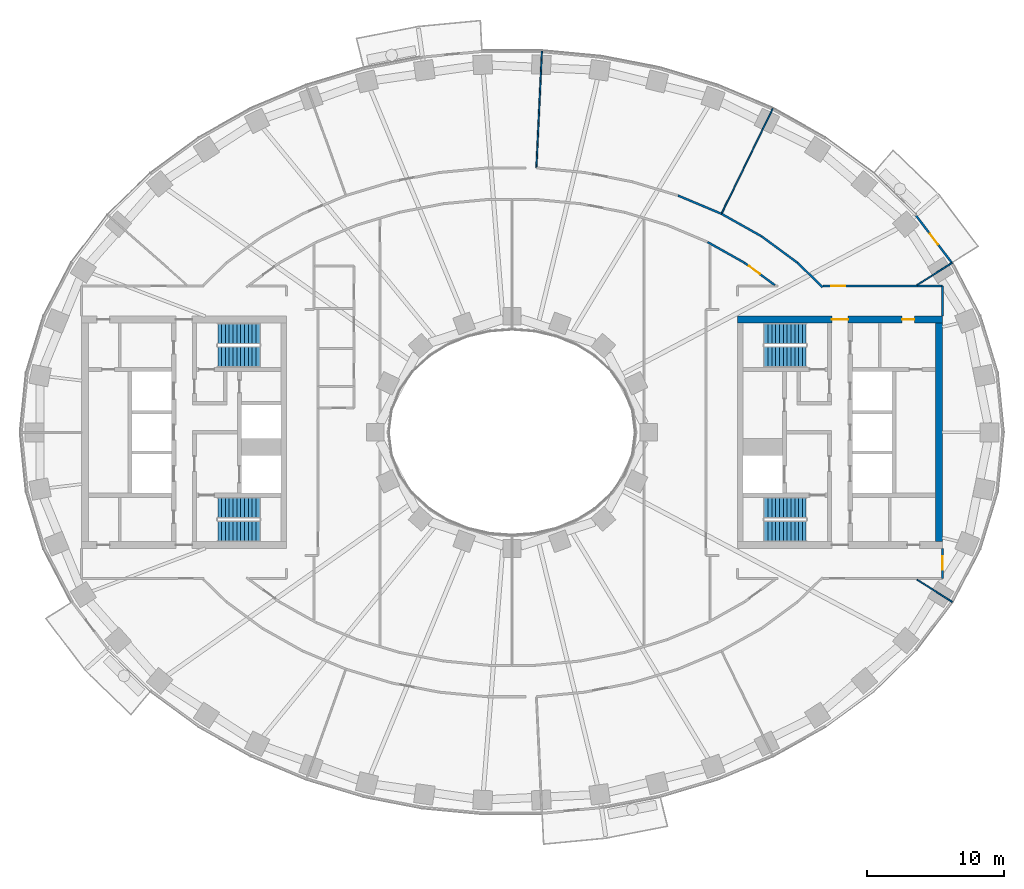
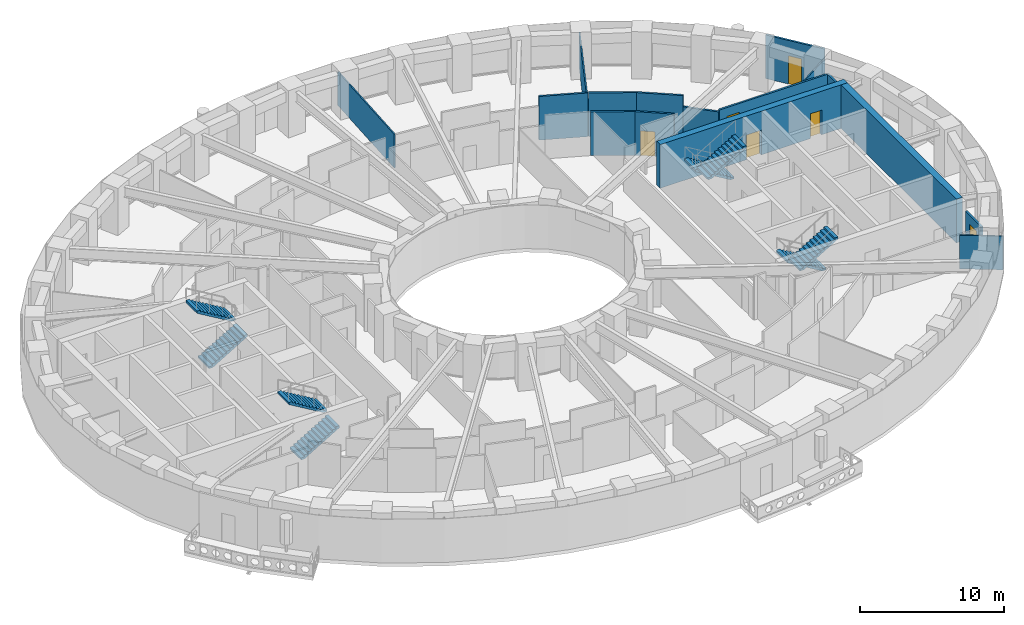
# One storey, part 7 of 16: 16 walls, 8 stair flights, 6 doors, 6 openings, 4 elements without a shape of their own.
"""IFC4 building model written with IfcOpenShell, lengths in metres."""

from ifc_helpers import new_model, si_unit, direction, frame, frame_2d, origin, place, context, subcontext, project, spatial, polyline, rectangle, outline, extrude, material, layer, layer_set, type_object, element, fill, aggregate, save


model = new_model("IFC4")

# Units and contexts
model_context = context("Model", 3, precision=1e-05, world=origin(), true_north=direction((0.0, 1.0)))
body_context = subcontext(model_context, "Body", "Model", "MODEL_VIEW")
ifc_project = project(units=[si_unit("LENGTHUNIT", "METRE"), si_unit("AREAUNIT", "SQUARE_METRE"), si_unit("VOLUMEUNIT", "CUBIC_METRE"), si_unit("PLANEANGLEUNIT", "RADIAN"), si_unit("MASSUNIT", "GRAM", prefix="KILO")], contexts=[model_context])

# Site, building, storey
site_placement = place(None, origin())
site = spatial("IfcSite", under=ifc_project, at=site_placement, CompositionType="ELEMENT")
building_placement = place(site_placement, origin())
building = spatial("IfcBuilding", under=site, at=building_placement, Name="Noorbagh Ring Tower", CompositionType="ELEMENT")
storey_placement = place(building_placement, frame((0.0, 0.0, 78.5)))
storey = spatial("IfcBuildingStorey", under=building, at=storey_placement, Name="L17", CompositionType="ELEMENT", Elevation=78.5)

# Wall, openings, doors
ifc_material_1 = material(Name="Concrete C70/85", Category="concrete")
ifc_layer_1 = layer(ifc_material_1, 0.5)
ifc_layer_set_1 = layer_set([ifc_layer_1], Name="Concrete C70/85")
wall_type_1 = type_object("IfcWallType", Name="CORE-WALL-500-C70-85-EI240", PredefinedType="SHEAR", material=ifc_layer_set_1)
wall_1_placement = place(storey_placement, frame((16.5, 8.25, 0.0), z_axis=(0.0, 0.0, 1.0), x_axis=(1.0, 0.0, 0.0)))
wall_1 = element("IfcWall", 1, at=wall_1_placement, inside=storey, type_object=wall_type_1, Name="Core wall E", PredefinedType="SHEAR", context=body_context, shape_type="SweptSolid", body=[
    extrude(rectangle(XDim=15.0, YDim=0.5, at=frame_2d((7.5, 0.0))), origin(), (0.0, 0.0, 1.0), 3.699951171875),
])
opening_1_placement = place(wall_1_placement, frame((6.89990234375, 0.0, 0.0)))
opening_1 = element("IfcOpeningElement", 2, at=opening_1_placement, cuts=wall_1, Name="Opening L17-CE09", PredefinedType="OPENING", context=body_context, shape_type="SweptSolid", body=[
    extrude(rectangle(XDim=1.199951171875, YDim=2.10009765625, at=frame_2d((0.60009765625, 1.050048828125))), frame((0.0, 0.260009765625, 0.0), z_axis=(0.0, -1.0, 0.0), x_axis=(1.0, 0.0, 0.0)), (0.0, 0.0, 1.0), 0.52001953125),
])
opening_2_placement = place(wall_1_placement, frame((12.050048828125, 0.0, 0.0)))
opening_2 = element("IfcOpeningElement", 3, at=opening_2_placement, cuts=wall_1, Name="Opening L17-CE13", PredefinedType="OPENING", context=body_context, shape_type="SweptSolid", body=[
    extrude(rectangle(XDim=0.89990234375, YDim=2.10009765625, at=frame_2d((0.449951171875, 1.050048828125))), frame((0.0, 0.260009765625, 0.0), z_axis=(0.0, -1.0, 0.0), x_axis=(1.0, 0.0, 0.0)), (0.0, 0.0, 1.0), 0.52001953125),
])
ifc_material_2 = material(Name="Steel door leaf", Category="steel")
door_type_1 = type_object("IfcDoorType", Name="CORE-DOOR-DROOM", OperationType="SINGLE_SWING_LEFT", PredefinedType="DOOR", material=ifc_material_2)
door_1_placement = place(opening_2_placement, origin())
door_1 = element("IfcDoor", 4, at=door_1_placement, inside=storey, type_object=door_type_1, Name="Core room door L17-CE13", OperationType="SINGLE_SWING_LEFT", OverallHeight=2.10009765625, OverallWidth=0.89990234375, PredefinedType="DOOR", context=body_context, shape_type="SweptSolid", body=[
    extrude(rectangle(XDim=0.89990234375, YDim=2.10009765625, at=frame_2d((0.449951171875, 1.050048828125))), frame((0.0, 0.02490234375, 0.0), z_axis=(0.0, -1.0, 0.0), x_axis=(1.0, 0.0, 0.0)), (0.0, 0.0, 1.0), 0.050048828125),
])
fill(opening_2, door_1)
ifc_material_3 = material(Name="Steel door leaf", Category="steel")
door_type_2 = type_object("IfcDoorType", Name="CORE-DOOR-PORT", OperationType="DOUBLE_DOOR_DOUBLE_SWING", PredefinedType="DOOR", material=ifc_material_3)
door_2_placement = place(opening_1_placement, origin())
door_2 = element("IfcDoor", 5, at=door_2_placement, inside=storey, type_object=door_type_2, Name="Core entrance door L17-CE09", OperationType="DOUBLE_DOOR_DOUBLE_SWING", OverallHeight=2.10009765625, OverallWidth=1.199951171875, PredefinedType="DOOR", context=body_context, shape_type="SweptSolid", body=[
    extrude(rectangle(XDim=1.199951171875, YDim=2.10009765625, at=frame_2d((0.60009765625, 1.050048828125))), frame((0.0, 0.02490234375, 0.0), z_axis=(0.0, -1.0, 0.0), x_axis=(1.0, 0.0, 0.0)), (0.0, 0.0, 1.0), 0.050048828125),
])
fill(opening_1, door_2)

# Walls
wall_2_placement = place(storey_placement, frame((31.25, -8.0, 0.0), z_axis=(0.0, 0.0, 1.0), x_axis=(0.0, 1.0, 0.0)))
element("IfcWall", 6, at=wall_2_placement, inside=storey, type_object=wall_type_1, Name="Core wall E", PredefinedType="SHEAR", context=body_context, shape_type="SweptSolid", body=[
    extrude(rectangle(XDim=16.0, YDim=0.5, at=frame_2d((8.0, 0.0))), origin(), (0.0, 0.0, 1.0), 3.699951171875),
])
ifc_material_4 = material(Name="Gypsum board on steel studs", Category="steel")
ifc_layer_2 = layer(ifc_material_4, 0.14990234375)
ifc_layer_set_2 = layer_set([ifc_layer_2], Name="Gypsum board on steel studs")
wall_type_2 = type_object("IfcWallType", Name="CORRIDOR PARTITION 150 EI 30", PredefinedType="PARTITIONING", material=ifc_layer_set_2)
wall_3_placement = place(storey_placement, frame((12.15087890625, 17.325927734375, 0.0), z_axis=(0.0, 0.0, 1.0), x_axis=(0.921891448612, -0.387448263612, 0.0)))
element("IfcWall", 7, at=wall_3_placement, inside=storey, type_object=wall_type_2, Name="L17/wall/P80", PredefinedType="PARTITIONING", context=body_context, shape_type="SweptSolid", body=[
    extrude(rectangle(XDim=3.443115234375, YDim=0.14990234375, at=frame_2d((1.7216796875, 0.0))), origin(), (0.0, 0.0, 1.0), 3.699951171875),
])
wall_4_placement = place(storey_placement, frame((14.31298828125, 13.922119140625, 0.0), z_axis=(0.0, 0.0, 1.0), x_axis=(0.871977874087, -0.489545286059, 0.0)))
element("IfcWall", 8, at=wall_4_placement, inside=storey, type_object=wall_type_2, Name="L17/wall/P85", PredefinedType="PARTITIONING", context=body_context, shape_type="SweptSolid", body=[
    extrude(rectangle(XDim=3.093017578125, YDim=0.14990234375, at=frame_2d((1.54638671875, 0.0))), origin(), (0.0, 0.0, 1.0), 3.699951171875),
])
wall_5_placement = place(storey_placement, frame((15.342041015625, 15.98193359375, 0.0), z_axis=(0.0, 0.0, 1.0), x_axis=(0.872011649609, -0.48948512025, 0.0)))
element("IfcWall", 9, at=wall_5_placement, inside=storey, type_object=wall_type_2, Name="L17/wall/P91", PredefinedType="PARTITIONING", context=body_context, shape_type="SweptSolid", body=[
    extrude(rectangle(XDim=3.34619140625, YDim=0.14990234375, at=frame_2d((1.673095703125, 0.0))), origin(), (0.0, 0.0, 1.0), 3.699951171875),
])

# Wall, opening, door
wall_6_placement = place(storey_placement, frame((17.010009765625, 12.407958984375, 0.0), z_axis=(0.0, 0.0, 1.0), x_axis=(0.805276342361, -0.592899664728, 0.0)))
wall_6 = element("IfcWall", 10, at=wall_6_placement, inside=storey, type_object=wall_type_2, Name="L17/wall/P97", PredefinedType="PARTITIONING", context=body_context, shape_type="SweptSolid", body=[
    extrude(rectangle(XDim=2.75439453125, YDim=0.14990234375, at=frame_2d((1.377197265625, 0.0))), origin(), (0.0, 0.0, 1.0), 3.699951171875),
])
opening_3_placement = place(wall_6_placement, frame((0.39990234375, 0.0, 0.0)))
opening_3 = element("IfcOpeningElement", 11, at=opening_3_placement, cuts=wall_6, Name="Opening D1", PredefinedType="OPENING", context=body_context, shape_type="SweptSolid", body=[
    extrude(rectangle(XDim=1.0, YDim=2.10009765625, at=frame_2d((0.5, 1.050048828125))), frame((0.0, 0.0849609375, 0.0), z_axis=(0.0, -1.0, 0.0), x_axis=(1.0, 0.0, 0.0)), (0.0, 0.0, 1.0), 0.169921875),
])
ifc_material_5 = material(Name="Timber, painted", Category="wood")
door_type_3 = type_object("IfcDoorType", Name="DOOR 1000 X 2100 FD30", OperationType="SINGLE_SWING_LEFT", PredefinedType="DOOR", material=ifc_material_5)
door_3_placement = place(opening_3_placement, origin())
door_3 = element("IfcDoor", 12, at=door_3_placement, inside=storey, type_object=door_type_3, Name="L17-D22", OperationType="SINGLE_SWING_LEFT", OverallHeight=2.10009765625, OverallWidth=1.0, PredefinedType="DOOR", context=body_context, shape_type="SweptSolid", body=[
    extrude(rectangle(XDim=1.0, YDim=2.10009765625, at=frame_2d((0.5, 1.050048828125))), frame((0.0, 0.02490234375, 0.0), z_axis=(0.0, -1.0, 0.0), x_axis=(1.0, 0.0, 0.0)), (0.0, 0.0, 1.0), 0.050048828125),
])
fill(opening_3, door_3)

# Walls
wall_7_placement = place(storey_placement, frame((18.260009765625, 14.343994140625, 0.0), z_axis=(0.0, 0.0, 1.0), x_axis=(0.805303685339, -0.592862525701, 0.0)))
element("IfcWall", 13, at=wall_7_placement, inside=storey, type_object=wall_type_2, Name="L17/wall/P99", PredefinedType="PARTITIONING", context=body_context, shape_type="SweptSolid", body=[
    extrude(rectangle(XDim=3.267333984375, YDim=0.14990234375, at=frame_2d((1.6337890625, 0.0))), origin(), (0.0, 0.0, 1.0), 3.699951171875),
])
wall_8_placement = place(storey_placement, frame((20.89111328125, 12.406982421875, 0.0), z_axis=(0.0, 0.0, 1.0), x_axis=(0.71701613235, -0.697056572991, 0.0)))
element("IfcWall", 14, at=wall_8_placement, inside=storey, type_object=wall_type_2, Name="L17/wall/P101", PredefinedType="PARTITIONING", context=body_context, shape_type="SweptSolid", body=[
    extrude(rectangle(XDim=2.556396484375, YDim=0.14990234375, at=frame_2d((1.2783203125, 0.0))), origin(), (0.0, 0.0, 1.0), 2.75),
])

# Wall, opening, door
wall_9_placement = place(storey_placement, frame((22.7548828125, 10.699951171875, 0.0), z_axis=(0.0, 0.0, 1.0), x_axis=(1.0, 0.0, 0.0)))
wall_9 = element("IfcWall", 15, at=wall_9_placement, inside=storey, type_object=wall_type_2, Name="L17/wall/P103", PredefinedType="PARTITIONING", context=body_context, shape_type="SweptSolid", body=[
    extrude(rectangle(XDim=8.7451171875, YDim=0.14990234375, at=frame_2d((4.37255859375, 0.0))), origin(), (0.0, 0.0, 1.0), 2.85009765625),
])
opening_4_placement = place(wall_9_placement, frame((0.615966796875, 0.0, 0.0)))
opening_4 = element("IfcOpeningElement", 16, at=opening_4_placement, cuts=wall_9, Name="Opening D1", PredefinedType="OPENING", context=body_context, shape_type="SweptSolid", body=[
    extrude(rectangle(XDim=1.0, YDim=2.10009765625, at=frame_2d((0.5, 1.050048828125))), frame((0.0, 0.0849609375, 0.0), z_axis=(0.0, -1.0, 0.0), x_axis=(1.0, 0.0, 0.0)), (0.0, 0.0, 1.0), 0.169921875),
])
door_4_placement = place(opening_4_placement, origin())
door_4 = element("IfcDoor", 17, at=door_4_placement, inside=storey, type_object=door_type_3, Name="L17-D14", OperationType="SINGLE_SWING_RIGHT", OverallHeight=2.10009765625, OverallWidth=1.0, PredefinedType="DOOR", context=body_context, shape_type="SweptSolid", body=[
    extrude(rectangle(XDim=1.0, YDim=2.10009765625, at=frame_2d((0.5, 1.050048828125))), frame((0.0, 0.02490234375, 0.0), z_axis=(0.0, -1.0, 0.0), x_axis=(1.0, 0.0, 0.0)), (0.0, 0.0, 1.0), 0.050048828125),
])
fill(opening_4, door_4)

wall_10_placement = place(storey_placement, frame((31.5, -10.699951171875, 0.0), z_axis=(0.0, 0.0, 1.0), x_axis=(0.0, 1.0, 0.0)))
wall_10 = element("IfcWall", 18, at=wall_10_placement, inside=storey, type_object=wall_type_2, Name="L17/wall/P106", PredefinedType="PARTITIONING", context=body_context, shape_type="SweptSolid", body=[
    extrude(rectangle(XDim=2.199951171875, YDim=0.14990234375, at=frame_2d((1.10009765625, 0.0))), origin(), (0.0, 0.0, 1.0), 2.85009765625),
])
opening_5_placement = place(wall_10_placement, frame((0.64990234375, 0.0, 0.0)))
opening_5 = element("IfcOpeningElement", 19, at=opening_5_placement, cuts=wall_10, Name="Opening D1", PredefinedType="OPENING", context=body_context, shape_type="SweptSolid", body=[
    extrude(rectangle(XDim=1.0, YDim=2.10009765625, at=frame_2d((0.5, 1.050048828125))), frame((0.0, 0.0849609375, 0.0), z_axis=(0.0, -1.0, 0.0), x_axis=(1.0, 0.0, 0.0)), (0.0, 0.0, 1.0), 0.169921875),
])
door_5_placement = place(opening_5_placement, origin())
door_5 = element("IfcDoor", 20, at=door_5_placement, inside=storey, type_object=door_type_3, Name="L17-D15", OperationType="SINGLE_SWING_LEFT", OverallHeight=2.10009765625, OverallWidth=1.0, PredefinedType="DOOR", context=body_context, shape_type="SweptSolid", body=[
    extrude(rectangle(XDim=1.0, YDim=2.10009765625, at=frame_2d((0.5, 1.050048828125))), frame((0.0, 0.02490234375, 0.0), z_axis=(0.0, -1.0, 0.0), x_axis=(1.0, 0.0, 0.0)), (0.0, 0.0, 1.0), 0.050048828125),
])
fill(opening_5, door_5)

# Wall
wall_11_placement = place(storey_placement, frame((31.5, 8.5, 0.0), z_axis=(0.0, 0.0, 1.0), x_axis=(0.0, 1.0, 0.0)))
element("IfcWall", 21, at=wall_11_placement, inside=storey, type_object=wall_type_2, Name="L17/wall/P107", PredefinedType="PARTITIONING", context=body_context, shape_type="SweptSolid", body=[
    extrude(rectangle(XDim=2.199951171875, YDim=0.14990234375, at=frame_2d((1.10009765625, 0.0))), origin(), (0.0, 0.0, 1.0), 2.85009765625),
])

# Wall, opening, door
ifc_material_6 = material(Name="Insulated aluminium clad panel", Category="aluminium")
ifc_layer_3 = layer(ifc_material_6, 0.14990234375)
ifc_layer_set_3 = layer_set([ifc_layer_3], Name="Insulated aluminium clad panel")
wall_type_3 = type_object("IfcWallType", Name="ENV-WALL-DOOR", PredefinedType="STANDARD", material=ifc_layer_set_3)
wall_12_placement = place(storey_placement, frame((32.20751953125, 12.37353515625, 0.0), z_axis=(0.0, 0.0, 1.0), x_axis=(-0.604045763106, 0.796949632081, 0.0)))
wall_12 = element("IfcWall", 22, at=wall_12_placement, inside=storey, type_object=wall_type_3, Name="Balcony door wall chord 04", PredefinedType="STANDARD", context=body_context, shape_type="SweptSolid", body=[
    extrude(rectangle(XDim=4.42333984375, YDim=0.14990234375, at=frame_2d((2.211669921875, 0.0))), origin(), (0.0, 0.0, 1.0), 3.699951171875),
])
opening_6_placement = place(wall_12_placement, frame((1.711669921875, 0.0, 0.0)))
opening_6 = element("IfcOpeningElement", 23, at=opening_6_placement, cuts=wall_12, Name="Opening D-BL", PredefinedType="OPENING", context=body_context, shape_type="SweptSolid", body=[
    extrude(rectangle(XDim=1.0, YDim=2.39990234375, at=frame_2d((0.5, 1.199951171875))), frame((0.0, 0.0849609375, 0.0), z_axis=(0.0, -1.0, 0.0), x_axis=(1.0, 0.0, 0.0)), (0.0, 0.0, 1.0), 0.169921875),
])
ifc_material_7 = material(Name="Aluminium and glass", Category="aluminium")
door_type_4 = type_object("IfcDoorType", Name="ENV-DOOR-BALCONY", OperationType="SINGLE_SWING_LEFT", PredefinedType="DOOR", material=ifc_material_7)
door_6_placement = place(opening_6_placement, origin())
door_6 = element("IfcDoor", 24, at=door_6_placement, inside=storey, type_object=door_type_4, Name="Balcony door chord 04", OperationType="SINGLE_SWING_RIGHT", OverallHeight=2.39990234375, OverallWidth=1.0, PredefinedType="DOOR", context=body_context, shape_type="SweptSolid", body=[
    extrude(rectangle(XDim=1.0, YDim=2.39990234375, at=frame_2d((0.5, 1.199951171875))), frame((0.0, 0.02490234375, 0.0), z_axis=(0.0, -1.0, 0.0), x_axis=(1.0, 0.0, 0.0)), (0.0, 0.0, 1.0), 0.050048828125),
])
fill(opening_6, door_6)

# Walls
ifc_material_8 = material(Name="Gypsum board on steel studs", Category="steel")
ifc_layer_4 = layer(ifc_material_8, 0.10009765625)
ifc_layer_set_4 = layer_set([ifc_layer_4], Name="Gypsum board on steel studs")
wall_type_4 = type_object("IfcWallType", Name="PARTITION 100 GYPSUM", PredefinedType="PARTITIONING", material=ifc_layer_set_4)
wall_13_placement = place(storey_placement, frame((1.784912109375, 19.364990234375, 0.0), z_axis=(0.0, 0.0, 1.0), x_axis=(0.04741307074, 0.998875367963, 0.0)))
element("IfcWall", 25, at=wall_13_placement, inside=storey, type_object=wall_type_4, Name="L17/wall/P65", PredefinedType="PARTITIONING", context=body_context, shape_type="SweptSolid", body=[
    extrude(rectangle(XDim=8.54248046875, YDim=0.10009765625, at=frame_2d((4.271240234375, 0.0))), origin(), (0.0, 0.0, 1.0), 2.85009765625),
])
wall_14_placement = place(storey_placement, frame((15.325927734375, 15.9951171875, 0.0), z_axis=(0.0, 0.0, 1.0), x_axis=(0.439255658574, 0.898362102056, 0.0)))
element("IfcWall", 26, at=wall_14_placement, inside=storey, type_object=wall_type_4, Name="L17/wall/P89", PredefinedType="PARTITIONING", context=body_context, shape_type="SweptSolid", body=[
    extrude(rectangle(XDim=8.56005859375, YDim=0.10009765625, at=frame_2d((4.280029296875, 0.0))), origin(), (0.0, 0.0, 1.0), 2.85009765625),
])
for number, where, z_axis, x_axis, name in (
    (27, (29.636962890625, -10.777099609375, 0.0), (0.0, 0.0, 1.0), (0.844810627195, -0.535065420467, 0.0), "L17/wall/P104"),
    (28, (29.636962890625, 10.777099609375, 0.0), (0.0, 0.0, 1.0), (0.844810627195, 0.535065420467, 0.0), "L17/wall/P105"),
):
    element("IfcWall", number, at=place(storey_placement, frame(where, z_axis=z_axis, x_axis=x_axis)), inside=storey, type_object=wall_type_4, Name=name, PredefinedType="PARTITIONING", context=body_context, shape_type="SweptSolid", body=[
        extrude(rectangle(XDim=3.0478515625, YDim=0.10009765625, at=frame_2d((1.52392578125, 0.0))), origin(), (0.0, 0.0, 1.0), 2.85009765625),
    ])

# Stair, stair flights
ifc_material_9 = material(Name="Concrete C40/50", Category="concrete")
stair_type = type_object("IfcStairType", Name="CORE-STAIR", PredefinedType="HALF_TURN_STAIR", material=ifc_material_9)
stair_1_placement = place(storey_placement, origin())
stair_1 = element("IfcStair", 29, at=stair_1_placement, inside=storey, type_object=stair_type, Name="L17 Exit stair ST1", PredefinedType="HALF_TURN_STAIR")
ifc_material_10 = material(Name="Concrete C40/50", Category="concrete")
stair_flight_type = type_object("IfcStairFlightType", Name="CORE-STAIR-FLIGHT", PredefinedType="STRAIGHT", material=ifc_material_10)
stair_flight_1_placement = place(storey_placement, frame((-21.530029296875, 5.52490234375, 0.0), z_axis=(0.0, 0.0, 1.0), x_axis=(1.0, 0.0, 0.0)))
stair_flight_1 = element("IfcStairFlight", 30, at=stair_flight_1_placement, type_object=stair_flight_type, Name="ST1 flight 1", NumberOfRisers=12, NumberOfTreads=11, PredefinedType="STRAIGHT", RiserHeight=0.166666667, TreadLength=0.28, context=body_context, shape_type="SweptSolid", body=[
    extrude(outline(polyline([(0.0, 0.0), (0.0, 0.166748046875), (0.280029296875, 0.166748046875), (0.280029296875, 0.333251953125), (0.56005859375, 0.333251953125), (0.56005859375, 0.5), (0.840087890625, 0.5), (0.840087890625, 0.666748046875), (1.1201171875, 0.666748046875), (1.1201171875, 0.833251953125), (1.39990234375, 0.833251953125), (1.39990234375, 1.0), (1.679931640625, 1.0), (1.679931640625, 1.166748046875), (1.9599609375, 1.166748046875), (1.9599609375, 1.333251953125), (2.239990234375, 1.333251953125), (2.239990234375, 1.5), (2.52001953125, 1.5), (2.52001953125, 1.666748046875), (2.800048828125, 1.666748046875), (2.800048828125, 1.833251953125), (3.080078125, 1.833251953125), (3.080078125, 2.0), (3.080078125, 1.658935546875), (0.29296875, 0.0), (0.0, 0.0)])), frame((0.0, 0.77490234375, 0.0), z_axis=(0.0, -1.0, 0.0), x_axis=(1.0, 0.0, 0.0)), (0.0, 0.0, 1.0), 1.550048828125),
])
stair_flight_2_placement = place(storey_placement, frame((-18.449951171875, 7.22509765625, 2.0), z_axis=(0.0, 0.0, 1.0), x_axis=(-1.0, 0.0, 0.0)))
stair_flight_2 = element("IfcStairFlight", 31, at=stair_flight_2_placement, type_object=stair_flight_type, Name="ST1 flight 2", NumberOfRisers=12, NumberOfTreads=11, PredefinedType="STRAIGHT", RiserHeight=0.166666667, TreadLength=0.28, context=body_context, shape_type="SweptSolid", body=[
    extrude(outline(polyline([(0.0, 0.0), (0.0, 0.166748046875), (0.280029296875, 0.166748046875), (0.280029296875, 0.333251953125), (0.56005859375, 0.333251953125), (0.56005859375, 0.5), (0.840087890625, 0.5), (0.840087890625, 0.666748046875), (1.1201171875, 0.666748046875), (1.1201171875, 0.833251953125), (1.39990234375, 0.833251953125), (1.39990234375, 1.0), (1.679931640625, 1.0), (1.679931640625, 1.166748046875), (1.9599609375, 1.166748046875), (1.9599609375, 1.333251953125), (2.239990234375, 1.333251953125), (2.239990234375, 1.5), (2.52001953125, 1.5), (2.52001953125, 1.666748046875), (2.800048828125, 1.666748046875), (2.800048828125, 1.833251953125), (3.080078125, 1.833251953125), (3.080078125, 2.0), (3.080078125, 1.658935546875), (0.29296875, 0.0), (0.0, 0.0)])), frame((0.0, 0.77490234375, 0.0), z_axis=(0.0, -1.0, 0.0), x_axis=(1.0, 0.0, 0.0)), (0.0, 0.0, 1.0), 1.550048828125),
])
aggregate(stair_1, [stair_flight_1, stair_flight_2])

stair_2_placement = place(storey_placement, origin())
stair_2 = element("IfcStair", 32, at=stair_2_placement, inside=storey, type_object=stair_type, Name="L17 Exit stair ST2", PredefinedType="HALF_TURN_STAIR")
stair_flight_3_placement = place(storey_placement, frame((-21.530029296875, -7.22509765625, 0.0), z_axis=(0.0, 0.0, 1.0), x_axis=(1.0, 0.0, 0.0)))
stair_flight_3 = element("IfcStairFlight", 33, at=stair_flight_3_placement, type_object=stair_flight_type, Name="ST2 flight 1", NumberOfRisers=12, NumberOfTreads=11, PredefinedType="STRAIGHT", RiserHeight=0.166666667, TreadLength=0.28, context=body_context, shape_type="SweptSolid", body=[
    extrude(outline(polyline([(0.0, 0.0), (0.0, 0.166748046875), (0.280029296875, 0.166748046875), (0.280029296875, 0.333251953125), (0.56005859375, 0.333251953125), (0.56005859375, 0.5), (0.840087890625, 0.5), (0.840087890625, 0.666748046875), (1.1201171875, 0.666748046875), (1.1201171875, 0.833251953125), (1.39990234375, 0.833251953125), (1.39990234375, 1.0), (1.679931640625, 1.0), (1.679931640625, 1.166748046875), (1.9599609375, 1.166748046875), (1.9599609375, 1.333251953125), (2.239990234375, 1.333251953125), (2.239990234375, 1.5), (2.52001953125, 1.5), (2.52001953125, 1.666748046875), (2.800048828125, 1.666748046875), (2.800048828125, 1.833251953125), (3.080078125, 1.833251953125), (3.080078125, 2.0), (3.080078125, 1.658935546875), (0.29296875, 0.0), (0.0, 0.0)])), frame((0.0, 0.77490234375, 0.0), z_axis=(0.0, -1.0, 0.0), x_axis=(1.0, 0.0, 0.0)), (0.0, 0.0, 1.0), 1.550048828125),
])
stair_flight_4_placement = place(storey_placement, frame((-18.449951171875, -5.52490234375, 2.0), z_axis=(0.0, 0.0, 1.0), x_axis=(-1.0, 0.0, 0.0)))
stair_flight_4 = element("IfcStairFlight", 34, at=stair_flight_4_placement, type_object=stair_flight_type, Name="ST2 flight 2", NumberOfRisers=12, NumberOfTreads=11, PredefinedType="STRAIGHT", RiserHeight=0.166666667, TreadLength=0.28, context=body_context, shape_type="SweptSolid", body=[
    extrude(outline(polyline([(0.0, 0.0), (0.0, 0.166748046875), (0.280029296875, 0.166748046875), (0.280029296875, 0.333251953125), (0.56005859375, 0.333251953125), (0.56005859375, 0.5), (0.840087890625, 0.5), (0.840087890625, 0.666748046875), (1.1201171875, 0.666748046875), (1.1201171875, 0.833251953125), (1.39990234375, 0.833251953125), (1.39990234375, 1.0), (1.679931640625, 1.0), (1.679931640625, 1.166748046875), (1.9599609375, 1.166748046875), (1.9599609375, 1.333251953125), (2.239990234375, 1.333251953125), (2.239990234375, 1.5), (2.52001953125, 1.5), (2.52001953125, 1.666748046875), (2.800048828125, 1.666748046875), (2.800048828125, 1.833251953125), (3.080078125, 1.833251953125), (3.080078125, 2.0), (3.080078125, 1.658935546875), (0.29296875, 0.0), (0.0, 0.0)])), frame((0.0, 0.77490234375, 0.0), z_axis=(0.0, -1.0, 0.0), x_axis=(1.0, 0.0, 0.0)), (0.0, 0.0, 1.0), 1.550048828125),
])
aggregate(stair_2, [stair_flight_3, stair_flight_4])

stair_3_placement = place(storey_placement, origin())
stair_3 = element("IfcStair", 35, at=stair_3_placement, inside=storey, type_object=stair_type, Name="L17 Exit stair ST3", PredefinedType="HALF_TURN_STAIR")
stair_flight_5_placement = place(storey_placement, frame((21.530029296875, 7.22509765625, 0.0), z_axis=(0.0, 0.0, 1.0), x_axis=(-1.0, 0.0, 0.0)))
stair_flight_5 = element("IfcStairFlight", 36, at=stair_flight_5_placement, type_object=stair_flight_type, Name="ST3 flight 1", NumberOfRisers=12, NumberOfTreads=11, PredefinedType="STRAIGHT", RiserHeight=0.166666667, TreadLength=0.28, context=body_context, shape_type="SweptSolid", body=[
    extrude(outline(polyline([(0.0, 0.0), (0.0, 0.166748046875), (0.280029296875, 0.166748046875), (0.280029296875, 0.333251953125), (0.56005859375, 0.333251953125), (0.56005859375, 0.5), (0.840087890625, 0.5), (0.840087890625, 0.666748046875), (1.1201171875, 0.666748046875), (1.1201171875, 0.833251953125), (1.39990234375, 0.833251953125), (1.39990234375, 1.0), (1.679931640625, 1.0), (1.679931640625, 1.166748046875), (1.9599609375, 1.166748046875), (1.9599609375, 1.333251953125), (2.239990234375, 1.333251953125), (2.239990234375, 1.5), (2.52001953125, 1.5), (2.52001953125, 1.666748046875), (2.800048828125, 1.666748046875), (2.800048828125, 1.833251953125), (3.080078125, 1.833251953125), (3.080078125, 2.0), (3.080078125, 1.658935546875), (0.29296875, 0.0), (0.0, 0.0)])), frame((0.0, 0.77490234375, 0.0), z_axis=(0.0, -1.0, 0.0), x_axis=(1.0, 0.0, 0.0)), (0.0, 0.0, 1.0), 1.550048828125),
])
stair_flight_6_placement = place(storey_placement, frame((18.449951171875, 5.52490234375, 2.0), z_axis=(0.0, 0.0, 1.0), x_axis=(1.0, 0.0, 0.0)))
stair_flight_6 = element("IfcStairFlight", 37, at=stair_flight_6_placement, type_object=stair_flight_type, Name="ST3 flight 2", NumberOfRisers=12, NumberOfTreads=11, PredefinedType="STRAIGHT", RiserHeight=0.166666667, TreadLength=0.28, context=body_context, shape_type="SweptSolid", body=[
    extrude(outline(polyline([(0.0, 0.0), (0.0, 0.166748046875), (0.280029296875, 0.166748046875), (0.280029296875, 0.333251953125), (0.56005859375, 0.333251953125), (0.56005859375, 0.5), (0.840087890625, 0.5), (0.840087890625, 0.666748046875), (1.1201171875, 0.666748046875), (1.1201171875, 0.833251953125), (1.39990234375, 0.833251953125), (1.39990234375, 1.0), (1.679931640625, 1.0), (1.679931640625, 1.166748046875), (1.9599609375, 1.166748046875), (1.9599609375, 1.333251953125), (2.239990234375, 1.333251953125), (2.239990234375, 1.5), (2.52001953125, 1.5), (2.52001953125, 1.666748046875), (2.800048828125, 1.666748046875), (2.800048828125, 1.833251953125), (3.080078125, 1.833251953125), (3.080078125, 2.0), (3.080078125, 1.658935546875), (0.29296875, 0.0), (0.0, 0.0)])), frame((0.0, 0.77490234375, 0.0), z_axis=(0.0, -1.0, 0.0), x_axis=(1.0, 0.0, 0.0)), (0.0, 0.0, 1.0), 1.550048828125),
])
aggregate(stair_3, [stair_flight_5, stair_flight_6])

stair_4_placement = place(storey_placement, origin())
stair_4 = element("IfcStair", 38, at=stair_4_placement, inside=storey, type_object=stair_type, Name="L17 Exit stair ST4", PredefinedType="HALF_TURN_STAIR")
stair_flight_7_placement = place(storey_placement, frame((21.530029296875, -5.52490234375, 0.0), z_axis=(0.0, 0.0, 1.0), x_axis=(-1.0, 0.0, 0.0)))
stair_flight_7 = element("IfcStairFlight", 39, at=stair_flight_7_placement, type_object=stair_flight_type, Name="ST4 flight 1", NumberOfRisers=12, NumberOfTreads=11, PredefinedType="STRAIGHT", RiserHeight=0.166666667, TreadLength=0.28, context=body_context, shape_type="SweptSolid", body=[
    extrude(outline(polyline([(0.0, 0.0), (0.0, 0.166748046875), (0.280029296875, 0.166748046875), (0.280029296875, 0.333251953125), (0.56005859375, 0.333251953125), (0.56005859375, 0.5), (0.840087890625, 0.5), (0.840087890625, 0.666748046875), (1.1201171875, 0.666748046875), (1.1201171875, 0.833251953125), (1.39990234375, 0.833251953125), (1.39990234375, 1.0), (1.679931640625, 1.0), (1.679931640625, 1.166748046875), (1.9599609375, 1.166748046875), (1.9599609375, 1.333251953125), (2.239990234375, 1.333251953125), (2.239990234375, 1.5), (2.52001953125, 1.5), (2.52001953125, 1.666748046875), (2.800048828125, 1.666748046875), (2.800048828125, 1.833251953125), (3.080078125, 1.833251953125), (3.080078125, 2.0), (3.080078125, 1.658935546875), (0.29296875, 0.0), (0.0, 0.0)])), frame((0.0, 0.77490234375, 0.0), z_axis=(0.0, -1.0, 0.0), x_axis=(1.0, 0.0, 0.0)), (0.0, 0.0, 1.0), 1.550048828125),
])
stair_flight_8_placement = place(storey_placement, frame((18.449951171875, -7.22509765625, 2.0), z_axis=(0.0, 0.0, 1.0), x_axis=(1.0, 0.0, 0.0)))
stair_flight_8 = element("IfcStairFlight", 40, at=stair_flight_8_placement, type_object=stair_flight_type, Name="ST4 flight 2", NumberOfRisers=12, NumberOfTreads=11, PredefinedType="STRAIGHT", RiserHeight=0.166666667, TreadLength=0.28, context=body_context, shape_type="SweptSolid", body=[
    extrude(outline(polyline([(0.0, 0.0), (0.0, 0.166748046875), (0.280029296875, 0.166748046875), (0.280029296875, 0.333251953125), (0.56005859375, 0.333251953125), (0.56005859375, 0.5), (0.840087890625, 0.5), (0.840087890625, 0.666748046875), (1.1201171875, 0.666748046875), (1.1201171875, 0.833251953125), (1.39990234375, 0.833251953125), (1.39990234375, 1.0), (1.679931640625, 1.0), (1.679931640625, 1.166748046875), (1.9599609375, 1.166748046875), (1.9599609375, 1.333251953125), (2.239990234375, 1.333251953125), (2.239990234375, 1.5), (2.52001953125, 1.5), (2.52001953125, 1.666748046875), (2.800048828125, 1.666748046875), (2.800048828125, 1.833251953125), (3.080078125, 1.833251953125), (3.080078125, 2.0), (3.080078125, 1.658935546875), (0.29296875, 0.0), (0.0, 0.0)])), frame((0.0, 0.77490234375, 0.0), z_axis=(0.0, -1.0, 0.0), x_axis=(1.0, 0.0, 0.0)), (0.0, 0.0, 1.0), 1.550048828125),
])
aggregate(stair_4, [stair_flight_7, stair_flight_8])

save(model, "model.ifc")
